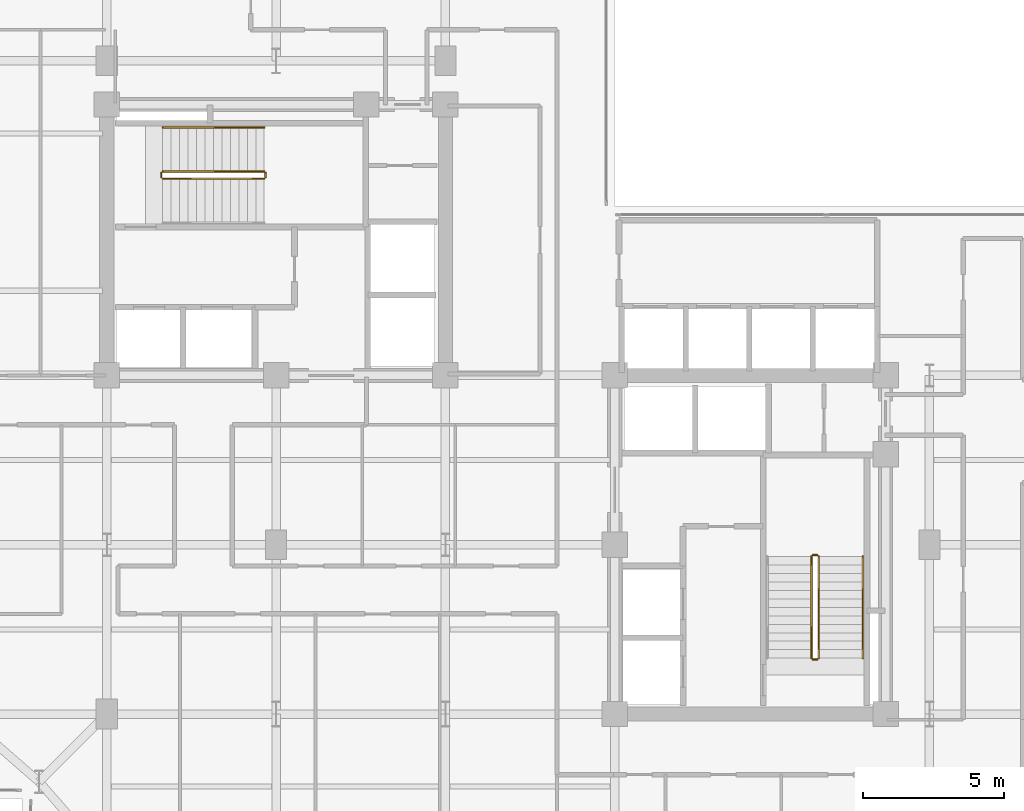
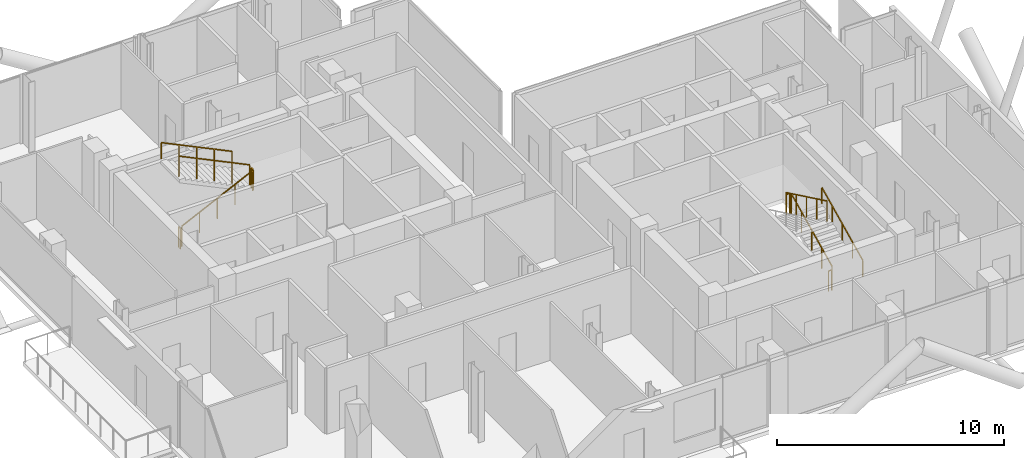
# One storey, part 22 of 22: 10 railings.
"""IFC4 building model written with IfcOpenShell, lengths in metres."""

from ifc_helpers import new_model, si_unit, direction, frame, origin, origin_2d, place, context, subcontext, project, spatial, rectangle, extrude, material, type_object, element, save


model = new_model("IFC4")

# Units and contexts
model_context = context("Model", 3, precision=1e-05, world=origin(), true_north=direction((0.0, 1.0)))
body_context = subcontext(model_context, "Body", "Model", "MODEL_VIEW")
ifc_project = project(units=[si_unit("LENGTHUNIT", "METRE"), si_unit("AREAUNIT", "SQUARE_METRE"), si_unit("VOLUMEUNIT", "CUBIC_METRE"), si_unit("PLANEANGLEUNIT", "RADIAN"), si_unit("MASSUNIT", "GRAM", prefix="KILO"), si_unit("THERMODYNAMICTEMPERATUREUNIT", "KELVIN"), si_unit("POWERUNIT", "WATT")], contexts=[model_context])

# Site, building, storey
site_placement = place(None, origin())
site = spatial("IfcSite", under=ifc_project, at=site_placement, CompositionType="ELEMENT")
building_placement = place(site_placement, origin())
building = spatial("IfcBuilding", under=site, at=building_placement, Name="Svarakhadi Broadcast Tower", CompositionType="ELEMENT")
storey_placement = place(building_placement, frame((0.0, 0.0, 191.699951171875)))
storey = spatial("IfcBuildingStorey", under=building, at=storey_placement, Name="L47", CompositionType="ELEMENT", Elevation=191.699951171875)

# Railings
ifc_material = material(Name="Anodised Bronze Aluminium AA 6063-T6", Category="aluminium")
railing_type_1 = type_object("IfcRailingType", Name="Guard_Stair_GR01", PredefinedType="GUARDRAIL", material=ifc_material)
railing_1_placement = place(storey_placement, frame((7.97998046875, 24.969970703125, 0.144287109375)))
element("IfcRailing", 1, at=railing_1_placement, inside=storey, type_object=railing_type_1, Name="L47 ST-01 stair guard 1", PredefinedType="GUARDRAIL", context=body_context, shape_type="SweptSolid", body=[
    extrude(rectangle(XDim=0.048095703125, YDim=0.048095703125, at=origin_2d()), frame((0.0, 0.0, 1.09619140625), z_axis=(0.901262522062, 0.0, 0.433273431364), x_axis=(0.0, 1.0, 0.0)), (0.0, 0.0, 1.0), 3.994384765625),
    extrude(rectangle(XDim=0.0419921875, YDim=0.0419921875, at=origin_2d()), origin(), (0.0, 0.0, 1.0), 1.072021484375),
    extrude(rectangle(XDim=0.0419921875, YDim=0.0419921875, at=origin_2d()), frame((0.89990234375, 0.0, 0.4326171875)), (0.0, 0.0, 1.0), 1.072021484375),
    extrude(rectangle(XDim=0.0419921875, YDim=0.0419921875, at=origin_2d()), frame((1.800048828125, 0.0, 0.865234375)), (0.0, 0.0, 1.0), 1.072021484375),
    extrude(rectangle(XDim=0.0419921875, YDim=0.0419921875, at=origin_2d()), frame((2.7001953125, 0.0, 1.298095703125)), (0.0, 0.0, 1.0), 1.072021484375),
    extrude(rectangle(XDim=0.0419921875, YDim=0.0419921875, at=origin_2d()), frame((3.60009765625, 0.0, 1.730712890625)), (0.0, 0.0, 1.0), 1.072021484375),
])
railing_2_placement = place(storey_placement, frame((11.6298828125, 25.02001953125, 1.875)))
element("IfcRailing", 2, at=railing_2_placement, inside=storey, type_object=railing_type_1, Name="L47 ST-01 stair guard 2", PredefinedType="GUARDRAIL", context=body_context, shape_type="SweptSolid", body=[
    extrude(rectangle(XDim=0.048095703125, YDim=0.048095703125, at=origin_2d()), frame((0.0, 0.0, 1.09619140625), z_axis=(0.0, 1.0, 0.0), x_axis=(-1.0, 0.0, 0.0)), (0.0, 0.0, 1.0), 0.159912109375),
    extrude(rectangle(XDim=0.0419921875, YDim=0.0419921875, at=origin_2d()), origin(), (0.0, 0.0, 1.0), 1.072021484375),
    extrude(rectangle(XDim=0.0419921875, YDim=0.0419921875, at=origin_2d()), frame((0.0, 0.159912109375, 0.0)), (0.0, 0.0, 1.0), 1.072021484375),
])
railing_3_placement = place(storey_placement, frame((11.580078125, 25.22998046875, 2.019287109375)))
element("IfcRailing", 3, at=railing_3_placement, inside=storey, type_object=railing_type_1, Name="L47 ST-01 stair guard 3", PredefinedType="GUARDRAIL", context=body_context, shape_type="SweptSolid", body=[
    extrude(rectangle(XDim=0.048095703125, YDim=0.048095703125, at=origin_2d()), frame((0.0, 0.0, 1.09619140625), z_axis=(-0.901262522062, 0.0, 0.433273431364), x_axis=(0.0, -1.0, 0.0)), (0.0, 0.0, 1.0), 3.994384765625),
    extrude(rectangle(XDim=0.0419921875, YDim=0.0419921875, at=origin_2d()), origin(), (0.0, 0.0, 1.0), 1.072021484375),
    extrude(rectangle(XDim=0.0419921875, YDim=0.0419921875, at=origin_2d()), frame((-0.89990234375, 0.0, 0.4326171875)), (0.0, 0.0, 1.0), 1.072021484375),
    extrude(rectangle(XDim=0.0419921875, YDim=0.0419921875, at=origin_2d()), frame((-1.800048828125, 0.0, 0.865234375)), (0.0, 0.0, 1.0), 1.072021484375),
    extrude(rectangle(XDim=0.0419921875, YDim=0.0419921875, at=origin_2d()), frame((-2.7001953125, 0.0, 1.298095703125)), (0.0, 0.0, 1.0), 1.072021484375),
    extrude(rectangle(XDim=0.0419921875, YDim=0.0419921875, at=origin_2d()), frame((-3.60009765625, 0.0, 1.730712890625)), (0.0, 0.0, 1.0), 1.072021484375),
])
railing_4_placement = place(storey_placement, frame((7.929931640625, 25.02001953125, 0.0)))
element("IfcRailing", 4, at=railing_4_placement, inside=storey, type_object=railing_type_1, Name="L47 ST-01 stair guard 4", PredefinedType="GUARDRAIL", context=body_context, shape_type="SweptSolid", body=[
    extrude(rectangle(XDim=0.048095703125, YDim=0.048095703125, at=origin_2d()), frame((0.0, 0.0, 1.09619140625), z_axis=(0.0, 1.0, 0.0), x_axis=(-1.0, 0.0, 0.0)), (0.0, 0.0, 1.0), 0.159912109375),
    extrude(rectangle(XDim=0.0419921875, YDim=0.0419921875, at=origin_2d()), origin(), (0.0, 0.0, 1.0), 1.072021484375),
    extrude(rectangle(XDim=0.0419921875, YDim=0.0419921875, at=origin_2d()), frame((0.0, 0.159912109375, 0.0)), (0.0, 0.0, 1.0), 1.072021484375),
])
railing_5_placement = place(storey_placement, frame((31.22998046875, 7.97998046875, 0.144287109375)))
element("IfcRailing", 5, at=railing_5_placement, inside=storey, type_object=railing_type_1, Name="L47 ST-02 stair guard 1", PredefinedType="GUARDRAIL", context=body_context, shape_type="SweptSolid", body=[
    extrude(rectangle(XDim=0.048095703125, YDim=0.048095703125, at=origin_2d()), frame((0.0, 0.0, 1.09619140625), z_axis=(0.0, 0.901262522062, 0.433273431364), x_axis=(-1.0, 0.0, 0.0)), (0.0, 0.0, 1.0), 3.994384765625),
    extrude(rectangle(XDim=0.0419921875, YDim=0.0419921875, at=origin_2d()), origin(), (0.0, 0.0, 1.0), 1.072021484375),
    extrude(rectangle(XDim=0.0419921875, YDim=0.0419921875, at=origin_2d()), frame((0.0, 0.89990234375, 0.4326171875)), (0.0, 0.0, 1.0), 1.072021484375),
    extrude(rectangle(XDim=0.0419921875, YDim=0.0419921875, at=origin_2d()), frame((0.0, 1.800048828125, 0.865234375)), (0.0, 0.0, 1.0), 1.072021484375),
    extrude(rectangle(XDim=0.0419921875, YDim=0.0419921875, at=origin_2d()), frame((0.0, 2.7001953125, 1.298095703125)), (0.0, 0.0, 1.0), 1.072021484375),
    extrude(rectangle(XDim=0.0419921875, YDim=0.0419921875, at=origin_2d()), frame((0.0, 3.60009765625, 1.730712890625)), (0.0, 0.0, 1.0), 1.072021484375),
])
railing_6_placement = place(storey_placement, frame((31.179931640625, 11.6298828125, 1.875)))
element("IfcRailing", 6, at=railing_6_placement, inside=storey, type_object=railing_type_1, Name="L47 ST-02 stair guard 2", PredefinedType="GUARDRAIL", context=body_context, shape_type="SweptSolid", body=[
    extrude(rectangle(XDim=0.048095703125, YDim=0.048095703125, at=origin_2d()), frame((0.0, 0.0, 1.09619140625), z_axis=(-1.0, 0.0, 0.0), x_axis=(0.0, -1.0, 0.0)), (0.0, 0.0, 1.0), 0.159912109375),
    extrude(rectangle(XDim=0.0419921875, YDim=0.0419921875, at=origin_2d()), origin(), (0.0, 0.0, 1.0), 1.072021484375),
    extrude(rectangle(XDim=0.0419921875, YDim=0.0419921875, at=origin_2d()), frame((-0.159912109375, 0.0, 0.0)), (0.0, 0.0, 1.0), 1.072021484375),
])
railing_7_placement = place(storey_placement, frame((30.969970703125, 11.580078125, 2.019287109375)))
element("IfcRailing", 7, at=railing_7_placement, inside=storey, type_object=railing_type_1, Name="L47 ST-02 stair guard 3", PredefinedType="GUARDRAIL", context=body_context, shape_type="SweptSolid", body=[
    extrude(rectangle(XDim=0.048095703125, YDim=0.048095703125, at=origin_2d()), frame((0.0, 0.0, 1.09619140625), z_axis=(0.0, -0.901262522062, 0.433273431364), x_axis=(1.0, 0.0, 0.0)), (0.0, 0.0, 1.0), 3.994384765625),
    extrude(rectangle(XDim=0.0419921875, YDim=0.0419921875, at=origin_2d()), origin(), (0.0, 0.0, 1.0), 1.072021484375),
    extrude(rectangle(XDim=0.0419921875, YDim=0.0419921875, at=origin_2d()), frame((0.0, -0.89990234375, 0.4326171875)), (0.0, 0.0, 1.0), 1.072021484375),
    extrude(rectangle(XDim=0.0419921875, YDim=0.0419921875, at=origin_2d()), frame((0.0, -1.800048828125, 0.865234375)), (0.0, 0.0, 1.0), 1.072021484375),
    extrude(rectangle(XDim=0.0419921875, YDim=0.0419921875, at=origin_2d()), frame((0.0, -2.7001953125, 1.298095703125)), (0.0, 0.0, 1.0), 1.072021484375),
    extrude(rectangle(XDim=0.0419921875, YDim=0.0419921875, at=origin_2d()), frame((0.0, -3.60009765625, 1.730712890625)), (0.0, 0.0, 1.0), 1.072021484375),
])
railing_8_placement = place(storey_placement, frame((31.179931640625, 7.929931640625, 0.0)))
element("IfcRailing", 8, at=railing_8_placement, inside=storey, type_object=railing_type_1, Name="L47 ST-02 stair guard 4", PredefinedType="GUARDRAIL", context=body_context, shape_type="SweptSolid", body=[
    extrude(rectangle(XDim=0.048095703125, YDim=0.048095703125, at=origin_2d()), frame((0.0, 0.0, 1.09619140625), z_axis=(-1.0, 0.0, 0.0), x_axis=(0.0, -1.0, 0.0)), (0.0, 0.0, 1.0), 0.159912109375),
    extrude(rectangle(XDim=0.0419921875, YDim=0.0419921875, at=origin_2d()), origin(), (0.0, 0.0, 1.0), 1.072021484375),
    extrude(rectangle(XDim=0.0419921875, YDim=0.0419921875, at=origin_2d()), frame((-0.159912109375, 0.0, 0.0)), (0.0, 0.0, 1.0), 1.072021484375),
])
railing_type_2 = type_object("IfcRailingType", Name="Handrail_Stair_HR01", PredefinedType="HANDRAIL", material=ifc_material)
railing_9_placement = place(storey_placement, frame((11.580078125, 26.7900390625, 2.019287109375)))
element("IfcRailing", 9, at=railing_9_placement, inside=storey, type_object=railing_type_2, Name="L47 ST-01 stair handrail 2", PredefinedType="HANDRAIL", context=body_context, shape_type="SweptSolid", body=[
    extrude(rectangle(XDim=0.048095703125, YDim=0.048095703125, at=origin_2d()), frame((0.0, 0.0, 0.8759765625), z_axis=(-0.901262522062, 0.0, 0.433273431364), x_axis=(0.0, -1.0, 0.0)), (0.0, 0.0, 1.0), 3.994384765625),
    extrude(rectangle(XDim=0.0419921875, YDim=0.0419921875, at=origin_2d()), origin(), (0.0, 0.0, 1.0), 0.851806640625),
    extrude(rectangle(XDim=0.0419921875, YDim=0.0419921875, at=origin_2d()), frame((-0.89990234375, 0.0, 0.4326171875)), (0.0, 0.0, 1.0), 0.851806640625),
    extrude(rectangle(XDim=0.0419921875, YDim=0.0419921875, at=origin_2d()), frame((-1.800048828125, 0.0, 0.865234375)), (0.0, 0.0, 1.0), 0.851806640625),
    extrude(rectangle(XDim=0.0419921875, YDim=0.0419921875, at=origin_2d()), frame((-2.7001953125, 0.0, 1.298095703125)), (0.0, 0.0, 1.0), 0.851806640625),
    extrude(rectangle(XDim=0.0419921875, YDim=0.0419921875, at=origin_2d()), frame((-3.60009765625, 0.0, 1.730712890625)), (0.0, 0.0, 1.0), 0.851806640625),
])
railing_10_placement = place(storey_placement, frame((32.7900390625, 7.97998046875, 0.144287109375)))
element("IfcRailing", 10, at=railing_10_placement, inside=storey, type_object=railing_type_2, Name="L47 ST-02 stair handrail 1", PredefinedType="HANDRAIL", context=body_context, shape_type="SweptSolid", body=[
    extrude(rectangle(XDim=0.048095703125, YDim=0.048095703125, at=origin_2d()), frame((0.0, 0.0, 0.8759765625), z_axis=(0.0, 0.901262522062, 0.433273431364), x_axis=(-1.0, 0.0, 0.0)), (0.0, 0.0, 1.0), 3.994384765625),
    extrude(rectangle(XDim=0.0419921875, YDim=0.0419921875, at=origin_2d()), origin(), (0.0, 0.0, 1.0), 0.851806640625),
    extrude(rectangle(XDim=0.0419921875, YDim=0.0419921875, at=origin_2d()), frame((0.0, 0.89990234375, 0.4326171875)), (0.0, 0.0, 1.0), 0.851806640625),
    extrude(rectangle(XDim=0.0419921875, YDim=0.0419921875, at=origin_2d()), frame((0.0, 1.800048828125, 0.865234375)), (0.0, 0.0, 1.0), 0.851806640625),
    extrude(rectangle(XDim=0.0419921875, YDim=0.0419921875, at=origin_2d()), frame((0.0, 2.7001953125, 1.298095703125)), (0.0, 0.0, 1.0), 0.851806640625),
    extrude(rectangle(XDim=0.0419921875, YDim=0.0419921875, at=origin_2d()), frame((0.0, 3.60009765625, 1.730712890625)), (0.0, 0.0, 1.0), 0.851806640625),
])

save(model, "model.ifc")
